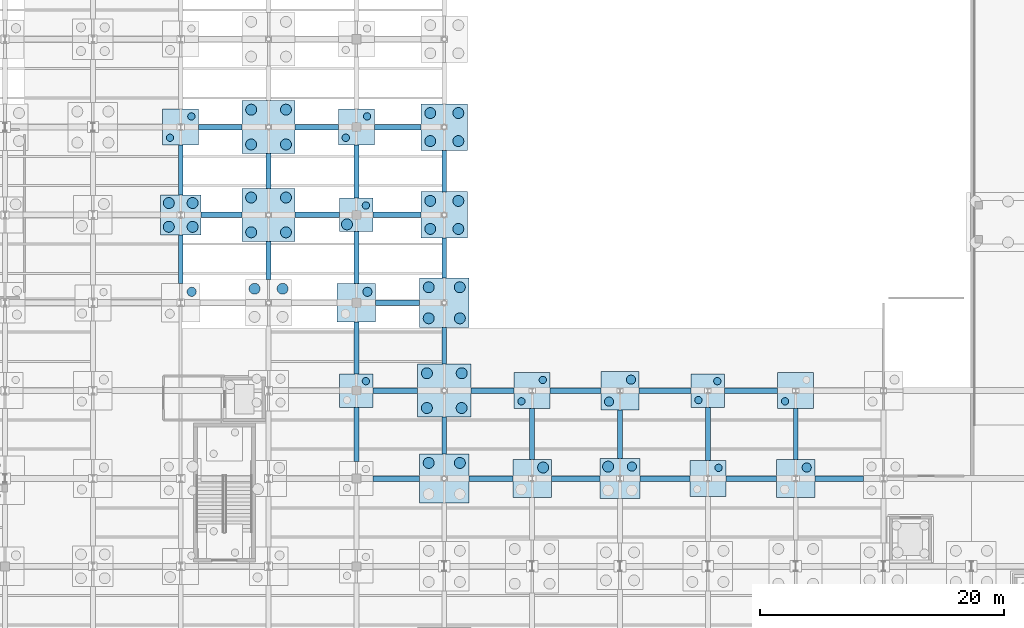
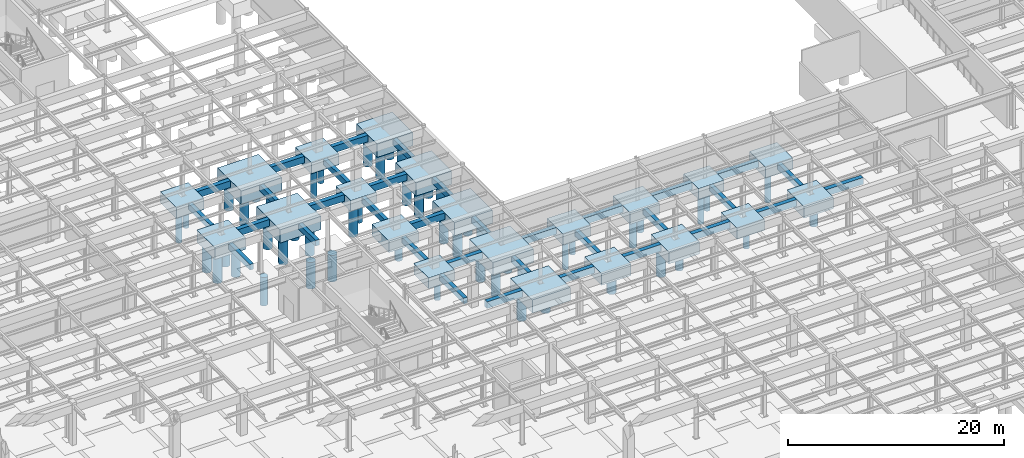
# One storey, part 12 of 64: 55 footings, 53 piles.
"""IFC4 building model written with IfcOpenShell, lengths in metres."""

import ifcopenshell
import ifcopenshell.guid

model = None  # the IFC model being written
_history = None  # IfcOwnerHistory: only IFC2X3 demands one
_inside = {}  # id of a spatial element -> (the spatial element, [elements in it])
_under = {}  # id of a project, library or spatial element -> (it, [spatial elements below it])
_declared = {}  # id of a project -> (the project, [libraries it declares])
_typed = {}  # id of a type object -> (the type object, [elements of that type])
_made_of = {}  # id of a material, layer set ... -> (it, [elements and type objects made of it])


def new_model(schema):
    """Start an empty IFC model of exactly this schema.

    Asked for "IFC4X3", IfcOpenShell would pick the latest addendum, in which some entities
    have other attributes; the version numbers below select the first issue.
    IFC2X3 requires an IfcOwnerHistory on every rooted entity: one is made here for all.
    """
    global model, _history
    if schema == "IFC4X3":
        model = ifcopenshell.file(schema_version=(4, 3, 0, 0))
    else:
        model = ifcopenshell.file(schema=schema)
    _inside.clear()
    _under.clear()
    _declared.clear()
    _typed.clear()
    _made_of.clear()
    _history = None
    if model.schema == "IFC2X3":
        org = make("IfcOrganization", Name="unknown")
        user = make(
            "IfcPersonAndOrganization",
            ThePerson=make("IfcPerson", FamilyName="unknown"),
            TheOrganization=org,
        )
        app = make(
            "IfcApplication",
            ApplicationDeveloper=org,
            Version="unknown",
            ApplicationFullName="unknown",
            ApplicationIdentifier="unknown",
        )
        _history = make(
            "IfcOwnerHistory",
            OwningUser=user,
            OwningApplication=app,
            ChangeAction="ADDED",
            CreationDate=0,
        )
    return model


def make(cls, **values):
    """One entity of the class cls with the attributes given. An attribute that is None is left unset."""
    return model.create_entity(
        cls, **{name: value for name, value in values.items() if value is not None}
    )


def rooted(cls, **values):
    """An entity with a GlobalId (a new one), such as an element, a storey or a relation."""
    return make(cls, GlobalId=ifcopenshell.guid.new(), OwnerHistory=_history, **values)


def si_unit(unit_type, name, prefix=None):
    """IfcSIUnit, for example si_unit("LENGTHUNIT", "METRE", prefix="MILLI")."""
    return make("IfcSIUnit", UnitType=unit_type, Prefix=prefix, Name=name)


def assignment(units):
    """IfcUnitAssignment: the units of a project."""
    return None if units is None else make("IfcUnitAssignment", Units=units)


def point(xyz):
    """IfcCartesianPoint."""
    return None if xyz is None else make("IfcCartesianPoint", Coordinates=xyz)


def direction(xyz):
    """IfcDirection."""
    return None if xyz is None else make("IfcDirection", DirectionRatios=xyz)


def frame(location, z_axis=None, x_axis=None):
    """IfcAxis2Placement3D, a coordinate frame: its origin and axes. An axis left out is left unset."""
    return make(
        "IfcAxis2Placement3D",
        Location=point(location),
        Axis=direction(z_axis),
        RefDirection=direction(x_axis),
    )


def frame_2d(location, x_axis=None):
    """IfcAxis2Placement2D, a coordinate frame in the plane: its origin and x axis."""
    return make(
        "IfcAxis2Placement2D", Location=point(location), RefDirection=direction(x_axis)
    )


def origin():
    """The frame at (0, 0, 0) with its axes left unset."""
    return frame((0.0, 0.0, 0.0))


def origin_2d():
    """The frame at (0, 0) in the plane with its x axis left unset."""
    return frame_2d((0.0, 0.0))


def place(relative_to, where):
    """IfcLocalPlacement: puts the frame where relative to a parent placement (None: the world)."""
    return make(
        "IfcLocalPlacement", PlacementRelTo=relative_to, RelativePlacement=where
    )


def context(
    kind, dimensions, precision=None, world=None, true_north=None, identifier=None
):
    """IfcGeometricRepresentationContext, for example the 3D "Model" context."""
    return make(
        "IfcGeometricRepresentationContext",
        ContextIdentifier=identifier,
        ContextType=kind,
        CoordinateSpaceDimension=dimensions,
        Precision=precision,
        WorldCoordinateSystem=world,
        TrueNorth=true_north,
    )


def subcontext(parent, identifier, kind, view, scale=None):
    """IfcGeometricRepresentationSubContext, for example "Body" below "Model"."""
    return make(
        "IfcGeometricRepresentationSubContext",
        ContextIdentifier=identifier,
        ContextType=kind,
        ParentContext=parent,
        TargetScale=scale,
        TargetView=view,
    )


def project(units=None, contexts=None):
    """IfcProject with its units and contexts."""
    return rooted(
        "IfcProject",
        Name="project",
        RepresentationContexts=contexts,
        UnitsInContext=assignment(units),
    )


def spatial(cls, under=None, at=None, **own):
    """A site, building, storey or space (cls), placed at a placement, below another one or the project."""
    s = rooted(cls, ObjectPlacement=at, **own)
    if under is not None:
        _under.setdefault(under.id(), (under, []))[1].append(s)
    return s


def profile(cls, at=None, kind="AREA", **sizes):
    """A parametric profile (cls). Its sizes go by their IFC names, for example OverallWidth=200.0."""
    return make(cls, ProfileType=kind, Position=at, **sizes)


def rectangle(**sizes):
    """IfcRectangleProfileDef."""
    return profile("IfcRectangleProfileDef", **sizes)


def circle(**sizes):
    """IfcCircleProfileDef."""
    return profile("IfcCircleProfileDef", **sizes)


def extrude(swept, where, along, depth):
    """IfcExtrudedAreaSolid: the profile swept, set in the frame where, extruded along a direction by depth."""
    return make(
        "IfcExtrudedAreaSolid",
        SweptArea=swept,
        Position=where,
        ExtrudedDirection=direction(along),
        Depth=depth,
    )


def shape(context_of_items, identifier, shape_type, items):
    """IfcShapeRepresentation: the items that make up one representation, for example the "Body"."""
    return make(
        "IfcShapeRepresentation",
        ContextOfItems=context_of_items,
        RepresentationIdentifier=identifier,
        RepresentationType=shape_type,
        Items=items,
    )


def material(Name=None, Category=None):
    """IfcMaterial."""
    return make("IfcMaterial", Name=Name, Category=Category)


def material_profile(
    of_material, cross_section, Name=None, Category=None, Priority=None
):
    """IfcMaterialProfile: a cross section and its material."""
    return make(
        "IfcMaterialProfile",
        Name=Name,
        Material=of_material,
        Profile=cross_section,
        Priority=Priority,
        Category=Category,
    )


def profile_set(profiles, Name=None, composite=None):
    """IfcMaterialProfileSet."""
    return make(
        "IfcMaterialProfileSet",
        Name=Name,
        MaterialProfiles=profiles,
        CompositeProfile=composite,
    )


def made_of(thing, what):
    """Note that an element or type object is made of a material, layer set ...; save() writes the relation."""
    if what is not None:
        _made_of.setdefault(what.id(), (what, []))[1].append(thing)
    return thing


def type_object(cls, material=None, **own):
    """A type object (cls), such as IfcWallType, which elements share."""
    return made_of(rooted(cls, **own), material)


def element(
    cls,
    number,
    at=None,
    inside=None,
    cuts=None,
    type_object=None,
    material=None,
    context=None,
    identifier="Body",
    shape_type=None,
    held_by="IfcProductDefinitionShape",
    body=None,
    shapes=None,
    **own,
):
    """One element of the class cls, such as IfcWall. Its Tag is "e" and its number.

    at: its placement. inside: the storey or other place that contains it. cuts: it is an
    opening in that element (IfcRelVoidsElement). A single representation is given by context,
    identifier, shape_type and body (its items); several are given by shapes. held_by: the class
    of the entity that holds the representations. save() writes the other relations.
    """
    e = rooted(cls, Tag="e%d" % number, ObjectPlacement=at, **own)
    if body is not None:
        shapes = [shape(context, identifier, shape_type, body)]
    if shapes is not None:
        e.Representation = make(held_by, Representations=shapes)
    if inside is not None:
        _inside.setdefault(inside.id(), (inside, []))[1].append(e)
    if cuts is not None:
        rooted(
            "IfcRelVoidsElement", RelatingBuildingElement=cuts, RelatedOpeningElement=e
        )
    if type_object is not None:
        _typed.setdefault(type_object.id(), (type_object, []))[1].append(e)
    return made_of(e, material)


def aggregate(whole, parts):
    """IfcRelAggregates: a whole, such as a stair, and the parts it consists of."""
    return rooted("IfcRelAggregates", RelatingObject=whole, RelatedObjects=parts)


def save(model, path):
    """Write the relations noted so far, then the file.

    IfcRelAggregates (storeys below a building ...), IfcRelContainedInSpatialStructure (elements
    in a storey), IfcRelDefinesByType, IfcRelAssociatesMaterial and IfcRelDeclares: one each for
    every whole, place, type object, material and project.
    """
    for whole, parts in _under.values():
        aggregate(whole, parts)
    for where, things in _inside.values():
        rooted(
            "IfcRelContainedInSpatialStructure",
            RelatedElements=things,
            RelatingStructure=where,
        )
    for kind, things in _typed.values():
        rooted("IfcRelDefinesByType", RelatedObjects=things, RelatingType=kind)
    for what, things in _made_of.values():
        rooted("IfcRelAssociatesMaterial", RelatedObjects=things, RelatingMaterial=what)
    for by, libraries in _declared.values():
        rooted("IfcRelDeclares", RelatingContext=by, RelatedDefinitions=libraries)
    model.write(path)


model = new_model("IFC4")

# Units and contexts
model_context = context("Model", 3, precision=1e-05, world=origin(), true_north=direction((0.0, 1.0)))
body_context = subcontext(model_context, "Body", "Model", "MODEL_VIEW")
ifc_project = project(units=[si_unit("LENGTHUNIT", "METRE"), si_unit("AREAUNIT", "SQUARE_METRE"), si_unit("VOLUMEUNIT", "CUBIC_METRE"), si_unit("PLANEANGLEUNIT", "RADIAN"), si_unit("MASSUNIT", "GRAM", prefix="KILO")], contexts=[model_context])

# Site, building, storey
site_placement = place(None, origin())
site = spatial("IfcSite", under=ifc_project, at=site_placement, CompositionType="ELEMENT")
building_placement = place(site_placement, origin())
building = spatial("IfcBuilding", under=site, at=building_placement, Name="Solvadek Multi-Sports Hall", CompositionType="ELEMENT")
storey_placement = place(building_placement, frame((0.0, 0.0, -4.800048828125)))
storey = spatial("IfcBuildingStorey", under=building, at=storey_placement, Name="B1", CompositionType="ELEMENT", Elevation=-4.800048828125)

# Footings
ifc_material_1 = material(Name="Concrete M40", Category="concrete")
footing_type_1 = type_object("IfcFootingType", Name="STR-CAP-275X275X120", PredefinedType="PILE_CAP", material=ifc_material_1)
for number, where, z_axis, x_axis, name in (
    (1, (79.199951171875, 56.39990234375, -1.19970703125), (0.0, 0.0, 1.0), (1.0, 0.0, 0.0), "Pile Cap PC-02 #187"),
    (2, (108.0, 56.39990234375, -1.19970703125), (0.0, 0.0, 1.0), (1.0, 0.0, 0.0), "Pile Cap PC-02 #190"),
    (3, (79.199951171875, 70.800048828125, -1.19970703125), (0.0, 0.0, 1.0), (1.0, 0.0, 0.0), "Pile Cap PC-02 #229"),
):
    element("IfcFooting", number, at=place(storey_placement, frame(where, z_axis=z_axis, x_axis=x_axis)), inside=storey, type_object=footing_type_1, Name=name, PredefinedType="PILE_CAP", context=body_context, shape_type="SweptSolid", body=[
        extrude(rectangle(XDim=2.75, YDim=2.75, at=origin_2d()), origin(), (0.0, 0.0, 1.0), 1.199951171875),
    ])
footing_type_2 = type_object("IfcFootingType", Name="STR-CAP-295X295X125", PredefinedType="PILE_CAP", material=ifc_material_1)
for number, where, z_axis, x_axis, name in (
    (4, (108.0, 49.199951171875, -1.25), (0.0, 0.0, 1.0), (1.0, 0.0, 0.0), "Pile Cap PC-14 #166"),
    (5, (93.60009765625, 56.39990234375, -1.25), (0.0, 0.0, 1.0), (1.0, 0.0, 0.0), "Pile Cap PC-14 #188"),
    (6, (115.199951171875, 56.39990234375, -1.25), (0.0, 0.0, 1.0), (1.0, 0.0, 0.0), "Pile Cap PC-14 #191"),
    (7, (64.800048828125, 78.0, -1.25), (0.0, 0.0, 1.0), (1.0, 0.0, 0.0), "Pile Cap PC-14 #241"),
    (8, (79.199951171875, 78.0, -1.25), (0.0, 0.0, 1.0), (1.0, 0.0, 0.0), "Pile Cap PC-14 #242"),
):
    element("IfcFooting", number, at=place(storey_placement, frame(where, z_axis=z_axis, x_axis=x_axis)), inside=storey, type_object=footing_type_2, Name=name, PredefinedType="PILE_CAP", context=body_context, shape_type="SweptSolid", body=[
        extrude(rectangle(XDim=2.949951171875, YDim=2.949951171875, at=origin_2d()), origin(), (0.0, 0.0, 1.0), 1.25),
    ])
footing_type_3 = type_object("IfcFootingType", Name="STR-CAP-315X315X130", PredefinedType="PILE_CAP", material=ifc_material_1)
for number, where, z_axis, x_axis, name in (
    (9, (93.60009765625, 49.199951171875, -1.2998046875), (0.0, 0.0, 1.0), (1.0, 0.0, 0.0), "Pile Cap PC-15 #164"),
    (10, (115.199951171875, 49.199951171875, -1.2998046875), (0.0, 0.0, 1.0), (1.0, 0.0, 0.0), "Pile Cap PC-15 #167"),
    (11, (100.800048828125, 56.39990234375, -1.2998046875), (0.0, 0.0, 1.0), (1.0, 0.0, 0.0), "Pile Cap PC-15 #189"),
    (12, (79.199951171875, 63.60009765625, -1.2998046875), (0.0, 0.0, 1.0), (1.0, 0.0, 0.0), "Pile Cap PC-15 #213"),
):
    element("IfcFooting", number, at=place(storey_placement, frame(where, z_axis=z_axis, x_axis=x_axis)), inside=storey, type_object=footing_type_3, Name=name, PredefinedType="PILE_CAP", context=body_context, shape_type="SweptSolid", body=[
        extrude(rectangle(XDim=3.14990234375, YDim=3.14990234375, at=origin_2d()), origin(), (0.0, 0.0, 1.0), 1.300048828125),
    ])
footing_type_4 = type_object("IfcFootingType", Name="STR-CAP-330X330X135", PredefinedType="PILE_CAP", material=ifc_material_1)
for number, where, z_axis, x_axis, name in (
    (13, (100.800048828125, 49.199951171875, -1.35009765625), (0.0, 0.0, 1.0), (1.0, 0.0, 0.0), "Pile Cap PC-04 #165"),
    (14, (64.800048828125, 70.800048828125, -1.35009765625), (0.0, 0.0, 1.0), (1.0, 0.0, 0.0), "Pile Cap PC-04 #228"),
):
    element("IfcFooting", number, at=place(storey_placement, frame(where, z_axis=z_axis, x_axis=x_axis)), inside=storey, type_object=footing_type_4, Name=name, PredefinedType="PILE_CAP", context=body_context, shape_type="SweptSolid", body=[
        extrude(rectangle(XDim=3.300048828125, YDim=3.300048828125, at=origin_2d()), origin(), (0.0, 0.0, 1.0), 1.35009765625),
    ])
footing_type_5 = type_object("IfcFootingType", Name="STR-CAP-380X380X150", PredefinedType="PILE_CAP", material=ifc_material_1)
for number, where, z_axis, x_axis, name in (
    (15, (86.39990234375, 70.800048828125, -1.5), (0.0, 0.0, 1.0), (1.0, 0.0, 0.0), "Pile Cap PC-06 #217"),
    (16, (86.39990234375, 78.0, -1.5), (0.0, 0.0, 1.0), (1.0, 0.0, 0.0), "Pile Cap PC-06 #235"),
):
    element("IfcFooting", number, at=place(storey_placement, frame(where, z_axis=z_axis, x_axis=x_axis)), inside=storey, type_object=footing_type_5, Name=name, PredefinedType="PILE_CAP", context=body_context, shape_type="SweptSolid", body=[
        extrude(rectangle(XDim=3.800048828125, YDim=3.800048828125, at=origin_2d()), origin(), (0.0, 0.0, 1.0), 1.5),
    ])
footing_type_6 = type_object("IfcFootingType", Name="STR-CAP-405X405X150", PredefinedType="PILE_CAP", material=ifc_material_1)
for number, where, z_axis, x_axis, name in (
    (17, (86.39990234375, 49.199951171875, -1.5), (0.0, 0.0, 1.0), (1.0, 0.0, 0.0), "Pile Cap PC-17 #155"),
    (18, (86.39990234375, 63.60009765625, -1.5), (0.0, 0.0, 1.0), (1.0, 0.0, 0.0), "Pile Cap PC-17 #197"),
):
    element("IfcFooting", number, at=place(storey_placement, frame(where, z_axis=z_axis, x_axis=x_axis)), inside=storey, type_object=footing_type_6, Name=name, PredefinedType="PILE_CAP", context=body_context, shape_type="SweptSolid", body=[
        extrude(rectangle(XDim=4.050048828125, YDim=4.050048828125, at=origin_2d()), origin(), (0.0, 0.0, 1.0), 1.5),
    ])
footing_type_7 = type_object("IfcFootingType", Name="STR-CAP-435X435X150", PredefinedType="PILE_CAP", material=ifc_material_1)
for number, where, z_axis, x_axis, name in (
    (19, (86.39990234375, 56.39990234375, -1.5), (0.0, 0.0, 1.0), (1.0, 0.0, 0.0), "Pile Cap PC-18 #174"),
    (20, (72.0, 70.800048828125, -1.5), (0.0, 0.0, 1.0), (1.0, 0.0, 0.0), "Pile Cap PC-18 #216"),
    (21, (72.0, 78.0, -1.5), (0.0, 0.0, 1.0), (1.0, 0.0, 0.0), "Pile Cap PC-18 #234"),
):
    element("IfcFooting", number, at=place(storey_placement, frame(where, z_axis=z_axis, x_axis=x_axis)), inside=storey, type_object=footing_type_7, Name=name, PredefinedType="PILE_CAP", context=body_context, shape_type="SweptSolid", body=[
        extrude(rectangle(XDim=4.35009765625, YDim=4.35009765625, at=origin_2d()), origin(), (0.0, 0.0, 1.0), 1.5),
    ])
footing_type_8 = type_object("IfcFootingType", Name="STR-FTB-400X650", PredefinedType="FOOTING_BEAM", material=ifc_material_1)
footing_1_placement = place(storey_placement, frame((64.800048828125, 67.16259765625, -0.64990234375), z_axis=(0.0, 0.0, 1.0), x_axis=(0.0, 1.0, 0.0)))
element("IfcFooting", 22, at=footing_1_placement, inside=storey, type_object=footing_type_8, Name="Foundation Beam FB-01 #321", PredefinedType="FOOTING_BEAM", context=body_context, shape_type="SweptSolid", body=[
    extrude(rectangle(XDim=3.97509765625, YDim=0.39990234375, at=origin_2d()), origin(), (0.0, 0.0, 1.0), 0.64990234375),
])
footing_2_placement = place(storey_placement, frame((64.800048828125, 74.487548828125, -0.64990234375), z_axis=(0.0, 0.0, 1.0), x_axis=(0.0, 1.0, 0.0)))
element("IfcFooting", 23, at=footing_2_placement, inside=storey, type_object=footing_type_8, Name="Foundation Beam FB-01 #322", PredefinedType="FOOTING_BEAM", context=body_context, shape_type="SweptSolid", body=[
    extrude(rectangle(XDim=4.074951171875, YDim=0.39990234375, at=origin_2d()), origin(), (0.0, 0.0, 1.0), 0.64990234375),
])
footing_3_placement = place(storey_placement, frame((72.0, 67.0625, -0.64990234375), z_axis=(0.0, 0.0, 1.0), x_axis=(0.0, 1.0, 0.0)))
element("IfcFooting", 24, at=footing_3_placement, inside=storey, type_object=footing_type_8, Name="Foundation Beam FB-01 #335", PredefinedType="FOOTING_BEAM", context=body_context, shape_type="SweptSolid", body=[
    extrude(rectangle(XDim=3.125, YDim=0.39990234375, at=origin_2d()), origin(), (0.0, 0.0, 1.0), 0.64990234375),
])
footing_4_placement = place(storey_placement, frame((72.0, 74.39990234375, -0.64990234375), z_axis=(0.0, 0.0, 1.0), x_axis=(0.0, 1.0, 0.0)))
element("IfcFooting", 25, at=footing_4_placement, inside=storey, type_object=footing_type_8, Name="Foundation Beam FB-01 #336", PredefinedType="FOOTING_BEAM", context=body_context, shape_type="SweptSolid", body=[
    extrude(rectangle(XDim=2.85009765625, YDim=0.39990234375, at=origin_2d()), origin(), (0.0, 0.0, 1.0), 0.64990234375),
])
footing_5_placement = place(storey_placement, frame((79.199951171875, 52.800048828125, -0.64990234375), z_axis=(0.0, 0.0, 1.0), x_axis=(0.0, 1.0, 0.0)))
element("IfcFooting", 26, at=footing_5_placement, inside=storey, type_object=footing_type_8, Name="Foundation Beam FB-01 #349", PredefinedType="FOOTING_BEAM", context=body_context, shape_type="SweptSolid", body=[
    extrude(rectangle(XDim=4.449951171875, YDim=0.39990234375, at=origin_2d()), origin(), (0.0, 0.0, 1.0), 0.64990234375),
])
for number, where, z_axis, x_axis, name in (
    (27, (79.199951171875, 59.89990234375, -0.64990234375), (0.0, 0.0, 1.0), (0.0, 1.0, 0.0), "Foundation Beam FB-01 #350"),
    (28, (79.199951171875, 67.300048828125, -0.64990234375), (0.0, 0.0, 1.0), (0.0, 1.0, 0.0), "Foundation Beam FB-01 #351"),
):
    element("IfcFooting", number, at=place(storey_placement, frame(where, z_axis=z_axis, x_axis=x_axis)), inside=storey, type_object=footing_type_8, Name=name, PredefinedType="FOOTING_BEAM", context=body_context, shape_type="SweptSolid", body=[
        extrude(rectangle(XDim=4.25, YDim=0.39990234375, at=origin_2d()), origin(), (0.0, 0.0, 1.0), 0.64990234375),
    ])
footing_6_placement = place(storey_placement, frame((79.199951171875, 74.35009765625, -0.64990234375), z_axis=(0.0, 0.0, 1.0), x_axis=(0.0, 1.0, 0.0)))
element("IfcFooting", 29, at=footing_6_placement, inside=storey, type_object=footing_type_8, Name="Foundation Beam FB-01 #352", PredefinedType="FOOTING_BEAM", context=body_context, shape_type="SweptSolid", body=[
    extrude(rectangle(XDim=4.35009765625, YDim=0.39990234375, at=origin_2d()), origin(), (0.0, 0.0, 1.0), 0.64990234375),
])
for number, where, z_axis, x_axis, name in (
    (30, (86.39990234375, 52.72509765625, -0.64990234375), (0.0, 0.0, 1.0), (0.0, 1.0, 0.0), "Foundation Beam FB-01 #362"),
    (31, (86.39990234375, 60.074951171875, -0.64990234375), (0.0, 0.0, 1.0), (0.0, 1.0, 0.0), "Foundation Beam FB-01 #363"),
):
    element("IfcFooting", number, at=place(storey_placement, frame(where, z_axis=z_axis, x_axis=x_axis)), inside=storey, type_object=footing_type_8, Name=name, PredefinedType="FOOTING_BEAM", context=body_context, shape_type="SweptSolid", body=[
        extrude(rectangle(XDim=3.0, YDim=0.39990234375, at=origin_2d()), origin(), (0.0, 0.0, 1.0), 0.64990234375),
    ])
footing_7_placement = place(storey_placement, frame((86.39990234375, 67.262451171875, -0.64990234375), z_axis=(0.0, 0.0, 1.0), x_axis=(0.0, 1.0, 0.0)))
element("IfcFooting", 32, at=footing_7_placement, inside=storey, type_object=footing_type_8, Name="Foundation Beam FB-01 #364", PredefinedType="FOOTING_BEAM", context=body_context, shape_type="SweptSolid", body=[
    extrude(rectangle(XDim=3.27490234375, YDim=0.39990234375, at=origin_2d()), origin(), (0.0, 0.0, 1.0), 0.64990234375),
])
footing_8_placement = place(storey_placement, frame((86.39990234375, 74.39990234375, -0.64990234375), z_axis=(0.0, 0.0, 1.0), x_axis=(0.0, 1.0, 0.0)))
element("IfcFooting", 33, at=footing_8_placement, inside=storey, type_object=footing_type_8, Name="Foundation Beam FB-01 #365", PredefinedType="FOOTING_BEAM", context=body_context, shape_type="SweptSolid", body=[
    extrude(rectangle(XDim=3.39990234375, YDim=0.39990234375, at=origin_2d()), origin(), (0.0, 0.0, 1.0), 0.64990234375),
])
footing_9_placement = place(storey_placement, frame((93.60009765625, 52.85009765625, -0.64990234375), z_axis=(0.0, 0.0, 1.0), x_axis=(0.0, 1.0, 0.0)))
element("IfcFooting", 34, at=footing_9_placement, inside=storey, type_object=footing_type_8, Name="Foundation Beam FB-01 #377", PredefinedType="FOOTING_BEAM", context=body_context, shape_type="SweptSolid", body=[
    extrude(rectangle(XDim=4.14990234375, YDim=0.39990234375, at=origin_2d()), origin(), (0.0, 0.0, 1.0), 0.64990234375),
])
footing_10_placement = place(storey_placement, frame((100.800048828125, 52.83740234375, -0.64990234375), z_axis=(0.0, 0.0, 1.0), x_axis=(0.0, 1.0, 0.0)))
element("IfcFooting", 35, at=footing_10_placement, inside=storey, type_object=footing_type_8, Name="Foundation Beam FB-01 #385", PredefinedType="FOOTING_BEAM", context=body_context, shape_type="SweptSolid", body=[
    extrude(rectangle(XDim=3.97509765625, YDim=0.39990234375, at=origin_2d()), origin(), (0.0, 0.0, 1.0), 0.64990234375),
])
footing_11_placement = place(storey_placement, frame((108.0, 52.85009765625, -0.64990234375), z_axis=(0.0, 0.0, 1.0), x_axis=(0.0, 1.0, 0.0)))
element("IfcFooting", 36, at=footing_11_placement, inside=storey, type_object=footing_type_8, Name="Foundation Beam FB-01 #394", PredefinedType="FOOTING_BEAM", context=body_context, shape_type="SweptSolid", body=[
    extrude(rectangle(XDim=4.35009765625, YDim=0.39990234375, at=origin_2d()), origin(), (0.0, 0.0, 1.0), 0.64990234375),
])
footing_12_placement = place(storey_placement, frame((115.199951171875, 52.85009765625, -0.64990234375), z_axis=(0.0, 0.0, 1.0), x_axis=(0.0, 1.0, 0.0)))
element("IfcFooting", 37, at=footing_12_placement, inside=storey, type_object=footing_type_8, Name="Foundation Beam FB-01 #401", PredefinedType="FOOTING_BEAM", context=body_context, shape_type="SweptSolid", body=[
    extrude(rectangle(XDim=4.14990234375, YDim=0.39990234375, at=origin_2d()), origin(), (0.0, 0.0, 1.0), 0.64990234375),
])
footing_type_9 = type_object("IfcFootingType", Name="STR-FTB-450X750", PredefinedType="FOOTING_BEAM", material=ifc_material_1)
footing_13_placement = place(storey_placement, frame((82.47509765625, 49.199951171875, -0.75), z_axis=(0.0, 0.0, 1.0), x_axis=(1.0, 0.0, 0.0)))
element("IfcFooting", 38, at=footing_13_placement, inside=storey, type_object=footing_type_9, Name="Foundation Beam FB-02 #108", PredefinedType="FOOTING_BEAM", context=body_context, shape_type="SweptSolid", body=[
    extrude(rectangle(XDim=3.800048828125, YDim=0.449951171875, at=origin_2d()), origin(), (0.0, 0.0, 1.0), 0.75),
])
footing_14_placement = place(storey_placement, frame((90.22509765625, 49.199951171875, -0.75), z_axis=(0.0, 0.0, 1.0), x_axis=(1.0, 0.0, 0.0)))
element("IfcFooting", 39, at=footing_14_placement, inside=storey, type_object=footing_type_9, Name="Foundation Beam FB-02 #109", PredefinedType="FOOTING_BEAM", context=body_context, shape_type="SweptSolid", body=[
    extrude(rectangle(XDim=3.60009765625, YDim=0.449951171875, at=origin_2d()), origin(), (0.0, 0.0, 1.0), 0.75),
])
footing_15_placement = place(storey_placement, frame((97.16259765625, 49.199951171875, -0.75), z_axis=(0.0, 0.0, 1.0), x_axis=(1.0, 0.0, 0.0)))
element("IfcFooting", 40, at=footing_15_placement, inside=storey, type_object=footing_type_9, Name="Foundation Beam FB-02 #110", PredefinedType="FOOTING_BEAM", context=body_context, shape_type="SweptSolid", body=[
    extrude(rectangle(XDim=3.97509765625, YDim=0.449951171875, at=origin_2d()), origin(), (0.0, 0.0, 1.0), 0.75),
])
footing_16_placement = place(storey_placement, frame((104.487548828125, 49.199951171875, -0.75), z_axis=(0.0, 0.0, 1.0), x_axis=(1.0, 0.0, 0.0)))
element("IfcFooting", 41, at=footing_16_placement, inside=storey, type_object=footing_type_9, Name="Foundation Beam FB-02 #111", PredefinedType="FOOTING_BEAM", context=body_context, shape_type="SweptSolid", body=[
    extrude(rectangle(XDim=4.074951171875, YDim=0.449951171875, at=origin_2d()), origin(), (0.0, 0.0, 1.0), 0.75),
])
footing_17_placement = place(storey_placement, frame((111.550048828125, 49.199951171875, -0.75), z_axis=(0.0, 0.0, 1.0), x_axis=(1.0, 0.0, 0.0)))
element("IfcFooting", 42, at=footing_17_placement, inside=storey, type_object=footing_type_9, Name="Foundation Beam FB-02 #112", PredefinedType="FOOTING_BEAM", context=body_context, shape_type="SweptSolid", body=[
    extrude(rectangle(XDim=4.14990234375, YDim=0.449951171875, at=origin_2d()), origin(), (0.0, 0.0, 1.0), 0.75),
])
footing_18_placement = place(storey_placement, frame((118.762451171875, 49.199951171875, -0.75), z_axis=(0.0, 0.0, 1.0), x_axis=(1.0, 0.0, 0.0)))
element("IfcFooting", 43, at=footing_18_placement, inside=storey, type_object=footing_type_9, Name="Foundation Beam FB-02 #113", PredefinedType="FOOTING_BEAM", context=body_context, shape_type="SweptSolid", body=[
    extrude(rectangle(XDim=3.97509765625, YDim=0.449951171875, at=origin_2d()), origin(), (0.0, 0.0, 1.0), 0.75),
])
footing_19_placement = place(storey_placement, frame((82.39990234375, 56.39990234375, -0.75), z_axis=(0.0, 0.0, 1.0), x_axis=(1.0, 0.0, 0.0)))
element("IfcFooting", 44, at=footing_19_placement, inside=storey, type_object=footing_type_9, Name="Foundation Beam FB-02 #129", PredefinedType="FOOTING_BEAM", context=body_context, shape_type="SweptSolid", body=[
    extrude(rectangle(XDim=3.64990234375, YDim=0.449951171875, at=origin_2d()), origin(), (0.0, 0.0, 1.0), 0.75),
])
footing_20_placement = place(storey_placement, frame((90.35009765625, 56.39990234375, -0.75), z_axis=(0.0, 0.0, 1.0), x_axis=(1.0, 0.0, 0.0)))
element("IfcFooting", 45, at=footing_20_placement, inside=storey, type_object=footing_type_9, Name="Foundation Beam FB-02 #130", PredefinedType="FOOTING_BEAM", context=body_context, shape_type="SweptSolid", body=[
    extrude(rectangle(XDim=3.550048828125, YDim=0.449951171875, at=origin_2d()), origin(), (0.0, 0.0, 1.0), 0.75),
])
footing_21_placement = place(storey_placement, frame((97.14990234375, 56.39990234375, -0.75), z_axis=(0.0, 0.0, 1.0), x_axis=(1.0, 0.0, 0.0)))
element("IfcFooting", 46, at=footing_21_placement, inside=storey, type_object=footing_type_9, Name="Foundation Beam FB-02 #131", PredefinedType="FOOTING_BEAM", context=body_context, shape_type="SweptSolid", body=[
    extrude(rectangle(XDim=4.14990234375, YDim=0.449951171875, at=origin_2d()), origin(), (0.0, 0.0, 1.0), 0.75),
])
footing_22_placement = place(storey_placement, frame((104.5, 56.39990234375, -0.75), z_axis=(0.0, 0.0, 1.0), x_axis=(1.0, 0.0, 0.0)))
element("IfcFooting", 47, at=footing_22_placement, inside=storey, type_object=footing_type_9, Name="Foundation Beam FB-02 #132", PredefinedType="FOOTING_BEAM", context=body_context, shape_type="SweptSolid", body=[
    extrude(rectangle(XDim=4.25, YDim=0.449951171875, at=origin_2d()), origin(), (0.0, 0.0, 1.0), 0.75),
])
footing_23_placement = place(storey_placement, frame((111.550048828125, 56.39990234375, -0.75), z_axis=(0.0, 0.0, 1.0), x_axis=(1.0, 0.0, 0.0)))
element("IfcFooting", 48, at=footing_23_placement, inside=storey, type_object=footing_type_9, Name="Foundation Beam FB-02 #133", PredefinedType="FOOTING_BEAM", context=body_context, shape_type="SweptSolid", body=[
    extrude(rectangle(XDim=4.35009765625, YDim=0.449951171875, at=origin_2d()), origin(), (0.0, 0.0, 1.0), 0.75),
])
footing_24_placement = place(storey_placement, frame((82.574951171875, 63.60009765625, -0.75), z_axis=(0.0, 0.0, 1.0), x_axis=(1.0, 0.0, 0.0)))
element("IfcFooting", 49, at=footing_24_placement, inside=storey, type_object=footing_type_9, Name="Foundation Beam FB-02 #151", PredefinedType="FOOTING_BEAM", context=body_context, shape_type="SweptSolid", body=[
    extrude(rectangle(XDim=3.60009765625, YDim=0.449951171875, at=origin_2d()), origin(), (0.0, 0.0, 1.0), 0.75),
])
footing_25_placement = place(storey_placement, frame((68.137451171875, 70.800048828125, -0.75), z_axis=(0.0, 0.0, 1.0), x_axis=(1.0, 0.0, 0.0)))
element("IfcFooting", 50, at=footing_25_placement, inside=storey, type_object=footing_type_9, Name="Foundation Beam FB-02 #161", PredefinedType="FOOTING_BEAM", context=body_context, shape_type="SweptSolid", body=[
    extrude(rectangle(XDim=3.375, YDim=0.449951171875, at=origin_2d()), origin(), (0.0, 0.0, 1.0), 0.75),
])
footing_26_placement = place(storey_placement, frame((76.0, 70.800048828125, -0.75), z_axis=(0.0, 0.0, 1.0), x_axis=(1.0, 0.0, 0.0)))
element("IfcFooting", 51, at=footing_26_placement, inside=storey, type_object=footing_type_9, Name="Foundation Beam FB-02 #162", PredefinedType="FOOTING_BEAM", context=body_context, shape_type="SweptSolid", body=[
    extrude(rectangle(XDim=3.64990234375, YDim=0.449951171875, at=origin_2d()), origin(), (0.0, 0.0, 1.0), 0.75),
])
footing_27_placement = place(storey_placement, frame((82.53759765625, 70.800048828125, -0.75), z_axis=(0.0, 0.0, 1.0), x_axis=(1.0, 0.0, 0.0)))
element("IfcFooting", 52, at=footing_27_placement, inside=storey, type_object=footing_type_9, Name="Foundation Beam FB-02 #163", PredefinedType="FOOTING_BEAM", context=body_context, shape_type="SweptSolid", body=[
    extrude(rectangle(XDim=3.925048828125, YDim=0.449951171875, at=origin_2d()), origin(), (0.0, 0.0, 1.0), 0.75),
])
for number, where, z_axis, x_axis, name in (
    (53, (68.050048828125, 78.0, -0.75), (0.0, 0.0, 1.0), (1.0, 0.0, 0.0), "Foundation Beam FB-02 #172"),
    (54, (75.949951171875, 78.0, -0.75), (0.0, 0.0, 1.0), (1.0, 0.0, 0.0), "Foundation Beam FB-02 #173"),
):
    element("IfcFooting", number, at=place(storey_placement, frame(where, z_axis=z_axis, x_axis=x_axis)), inside=storey, type_object=footing_type_9, Name=name, PredefinedType="FOOTING_BEAM", context=body_context, shape_type="SweptSolid", body=[
        extrude(rectangle(XDim=3.550048828125, YDim=0.449951171875, at=origin_2d()), origin(), (0.0, 0.0, 1.0), 0.75),
    ])
footing_28_placement = place(storey_placement, frame((82.58740234375, 78.0, -0.75), z_axis=(0.0, 0.0, 1.0), x_axis=(1.0, 0.0, 0.0)))
element("IfcFooting", 55, at=footing_28_placement, inside=storey, type_object=footing_type_9, Name="Foundation Beam FB-02 #174", PredefinedType="FOOTING_BEAM", context=body_context, shape_type="SweptSolid", body=[
    extrude(rectangle(XDim=3.824951171875, YDim=0.449951171875, at=origin_2d()), origin(), (0.0, 0.0, 1.0), 0.75),
])

# Piles
ifc_material_2 = material(Name="Concrete M35", Category="concrete")
ifc_material_profile_1 = material_profile(ifc_material_2, circle(Radius=0.300048828125, at=origin_2d()), Name="BORED PILE D600")
ifc_profile_set_1 = profile_set([ifc_material_profile_1], Name="Concrete M35")
pile_type_1 = type_object("IfcPileType", Name="STR-PILE-D600", PredefinedType="BORED", material=ifc_profile_set_1)
pile_1_placement = place(storey_placement, frame((108.875, 50.074951171875, -1.14990234375), z_axis=(0.0, 0.0, -1.0), x_axis=(1.0, 0.0, 0.0)))
element("IfcPile", 56, at=pile_1_placement, inside=storey, type_object=pile_type_1, Name="Bored Pile PL-600 #533", PredefinedType="BORED", context=body_context, shape_type="SweptSolid", body=[
    extrude(circle(Radius=0.300048828125, at=origin_2d()), origin(), (0.0, 0.0, 1.0), 3.25),
])
pile_2_placement = place(storey_placement, frame((79.97509765625, 57.175048828125, -1.099853515625), z_axis=(0.0, 0.0, -1.0), x_axis=(1.0, 0.0, 0.0)))
element("IfcPile", 57, at=pile_2_placement, inside=storey, type_object=pile_type_1, Name="Bored Pile PL-600 #591", PredefinedType="BORED", context=body_context, shape_type="SweptSolid", body=[
    extrude(circle(Radius=0.300048828125, at=origin_2d()), origin(), (0.0, 0.0, 1.0), 3.300048828125),
])
for number, where, z_axis, x_axis, name in (
    (58, (92.72509765625, 55.52490234375, -1.14990234375), (0.0, 0.0, -1.0), (1.0, 0.0, 0.0), "Bored Pile PL-600 #592"),
    (59, (94.47509765625, 57.27490234375, -1.14990234375), (0.0, 0.0, -1.0), (1.0, 0.0, 0.0), "Bored Pile PL-600 #593"),
):
    element("IfcPile", number, at=place(storey_placement, frame(where, z_axis=z_axis, x_axis=x_axis)), inside=storey, type_object=pile_type_1, Name=name, PredefinedType="BORED", context=body_context, shape_type="SweptSolid", body=[
        extrude(circle(Radius=0.300048828125, at=origin_2d()), origin(), (0.0, 0.0, 1.0), 3.25),
    ])
for number, where, z_axis, x_axis, name in (
    (60, (107.22509765625, 55.625, -1.099853515625), (0.0, 0.0, -1.0), (1.0, 0.0, 0.0), "Bored Pile PL-600 #596"),
    (61, (108.77490234375, 57.175048828125, -1.099853515625), (0.0, 0.0, -1.0), (1.0, 0.0, 0.0), "Bored Pile PL-600 #597"),
):
    element("IfcPile", number, at=place(storey_placement, frame(where, z_axis=z_axis, x_axis=x_axis)), inside=storey, type_object=pile_type_1, Name=name, PredefinedType="BORED", context=body_context, shape_type="SweptSolid", body=[
        extrude(circle(Radius=0.300048828125, at=origin_2d()), origin(), (0.0, 0.0, 1.0), 3.300048828125),
    ])
pile_3_placement = place(storey_placement, frame((114.324951171875, 55.52490234375, -1.14990234375), z_axis=(0.0, 0.0, -1.0), x_axis=(1.0, 0.0, 0.0)))
element("IfcPile", 62, at=pile_3_placement, inside=storey, type_object=pile_type_1, Name="Bored Pile PL-600 #598", PredefinedType="BORED", context=body_context, shape_type="SweptSolid", body=[
    extrude(circle(Radius=0.300048828125, at=origin_2d()), origin(), (0.0, 0.0, 1.0), 3.25),
])
pile_4_placement = place(storey_placement, frame((79.97509765625, 71.574951171875, -1.099853515625), z_axis=(0.0, 0.0, -1.0), x_axis=(1.0, 0.0, 0.0)))
element("IfcPile", 63, at=pile_4_placement, inside=storey, type_object=pile_type_1, Name="Bored Pile PL-600 #727", PredefinedType="BORED", context=body_context, shape_type="SweptSolid", body=[
    extrude(circle(Radius=0.300048828125, at=origin_2d()), origin(), (0.0, 0.0, 1.0), 3.300048828125),
])
for number, where, z_axis, x_axis, name in (
    (64, (63.925048828125, 77.125, -1.14990234375), (0.0, 0.0, -1.0), (1.0, 0.0, 0.0), "Bored Pile PL-600 #774"),
    (65, (65.675048828125, 78.875, -1.14990234375), (0.0, 0.0, -1.0), (1.0, 0.0, 0.0), "Bored Pile PL-600 #775"),
    (66, (78.324951171875, 77.125, -1.14990234375), (0.0, 0.0, -1.0), (1.0, 0.0, 0.0), "Bored Pile PL-600 #776"),
    (67, (80.074951171875, 78.875, -1.14990234375), (0.0, 0.0, -1.0), (1.0, 0.0, 0.0), "Bored Pile PL-600 #777"),
):
    element("IfcPile", number, at=place(storey_placement, frame(where, z_axis=z_axis, x_axis=x_axis)), inside=storey, type_object=pile_type_1, Name=name, PredefinedType="BORED", context=body_context, shape_type="SweptSolid", body=[
        extrude(circle(Radius=0.300048828125, at=origin_2d()), origin(), (0.0, 0.0, 1.0), 3.25),
    ])
ifc_material_profile_2 = material_profile(ifc_material_2, circle(Radius=0.375, at=origin_2d()), Name="BORED PILE D750")
ifc_profile_set_2 = profile_set([ifc_material_profile_2], Name="Concrete M35")
pile_type_2 = type_object("IfcPileType", Name="STR-PILE-D750", PredefinedType="BORED", material=ifc_profile_set_2)
pile_5_placement = place(storey_placement, frame((101.77490234375, 50.175048828125, -1.25), z_axis=(0.0, 0.0, -1.0), x_axis=(1.0, 0.0, 0.0)))
element("IfcPile", 68, at=pile_5_placement, inside=storey, type_object=pile_type_2, Name="Bored Pile PL-750 #531", PredefinedType="BORED", context=body_context, shape_type="SweptSolid", body=[
    extrude(circle(Radius=0.375, at=origin_2d()), origin(), (0.0, 0.0, 1.0), 3.14990234375),
])
for number, where, z_axis, x_axis, name in (
    (69, (116.10009765625, 50.10009765625, -1.199951171875), (0.0, 0.0, -1.0), (1.0, 0.0, 0.0), "Bored Pile PL-750 #535"),
    (70, (99.89990234375, 55.5, -1.199951171875), (0.0, 0.0, -1.0), (1.0, 0.0, 0.0), "Bored Pile PL-750 #594"),
    (71, (101.699951171875, 57.300048828125, -1.199951171875), (0.0, 0.0, -1.0), (1.0, 0.0, 0.0), "Bored Pile PL-750 #595"),
    (72, (65.699951171875, 64.5, -1.199951171875), (0.0, 0.0, -1.0), (1.0, 0.0, 0.0), "Bored Pile PL-750 #649"),
    (73, (80.10009765625, 64.5, -1.199951171875), (0.0, 0.0, -1.0), (1.0, 0.0, 0.0), "Bored Pile PL-750 #665"),
):
    element("IfcPile", number, at=place(storey_placement, frame(where, z_axis=z_axis, x_axis=x_axis)), inside=storey, type_object=pile_type_2, Name=name, PredefinedType="BORED", context=body_context, shape_type="SweptSolid", body=[
        extrude(circle(Radius=0.375, at=origin_2d()), origin(), (0.0, 0.0, 1.0), 3.199951171875),
    ])
ifc_material_profile_3 = material_profile(ifc_material_2, circle(Radius=0.449951171875, at=origin_2d()), Name="BORED PILE D900")
ifc_profile_set_3 = profile_set([ifc_material_profile_3], Name="Concrete M35")
pile_type_3 = type_object("IfcPileType", Name="STR-PILE-D900", PredefinedType="BORED", material=ifc_profile_set_3)
for number, where, z_axis, x_axis, name in (
    (74, (85.125, 50.47509765625, -1.39990234375), (0.0, 0.0, -1.0), (1.0, 0.0, 0.0), "Bored Pile PL-900 #499"),
    (75, (87.675048828125, 50.47509765625, -1.39990234375), (0.0, 0.0, -1.0), (1.0, 0.0, 0.0), "Bored Pile PL-900 #501"),
):
    element("IfcPile", number, at=place(storey_placement, frame(where, z_axis=z_axis, x_axis=x_axis)), inside=storey, type_object=pile_type_3, Name=name, PredefinedType="BORED", context=body_context, shape_type="SweptSolid", body=[
        extrude(circle(Radius=0.449951171875, at=origin_2d()), origin(), (0.0, 0.0, 1.0), 3.0),
    ])
pile_6_placement = place(storey_placement, frame((94.5, 50.10009765625, -1.199951171875), z_axis=(0.0, 0.0, -1.0), x_axis=(1.0, 0.0, 0.0)))
element("IfcPile", 76, at=pile_6_placement, inside=storey, type_object=pile_type_3, Name="Bored Pile PL-900 #527", PredefinedType="BORED", context=body_context, shape_type="SweptSolid", body=[
    extrude(circle(Radius=0.449951171875, at=origin_2d()), origin(), (0.0, 0.0, 1.0), 3.199951171875),
])
pile_7_placement = place(storey_placement, frame((99.824951171875, 50.175048828125, -1.25), z_axis=(0.0, 0.0, -1.0), x_axis=(1.0, 0.0, 0.0)))
element("IfcPile", 77, at=pile_7_placement, inside=storey, type_object=pile_type_3, Name="Bored Pile PL-900 #529", PredefinedType="BORED", context=body_context, shape_type="SweptSolid", body=[
    extrude(circle(Radius=0.449951171875, at=origin_2d()), origin(), (0.0, 0.0, 1.0), 3.14990234375),
])
for number, where, z_axis, x_axis, name in (
    (78, (84.97509765625, 54.97509765625, -1.39990234375), (0.0, 0.0, -1.0), (1.0, 0.0, 0.0), "Bored Pile PL-900 #552"),
    (79, (84.97509765625, 57.824951171875, -1.39990234375), (0.0, 0.0, -1.0), (1.0, 0.0, 0.0), "Bored Pile PL-900 #553"),
    (80, (87.824951171875, 54.97509765625, -1.39990234375), (0.0, 0.0, -1.0), (1.0, 0.0, 0.0), "Bored Pile PL-900 #554"),
    (81, (87.824951171875, 57.824951171875, -1.39990234375), (0.0, 0.0, -1.0), (1.0, 0.0, 0.0), "Bored Pile PL-900 #555"),
    (82, (70.85009765625, 64.75, -1.39990234375), (0.0, 0.0, -1.0), (1.0, 0.0, 0.0), "Bored Pile PL-900 #609"),
    (83, (73.14990234375, 64.75, -1.39990234375), (0.0, 0.0, -1.0), (1.0, 0.0, 0.0), "Bored Pile PL-900 #611"),
    (84, (85.125, 62.324951171875, -1.39990234375), (0.0, 0.0, -1.0), (1.0, 0.0, 0.0), "Bored Pile PL-900 #612"),
    (85, (85.125, 64.875, -1.39990234375), (0.0, 0.0, -1.0), (1.0, 0.0, 0.0), "Bored Pile PL-900 #613"),
    (86, (87.675048828125, 62.324951171875, -1.39990234375), (0.0, 0.0, -1.0), (1.0, 0.0, 0.0), "Bored Pile PL-900 #614"),
    (87, (87.675048828125, 64.875, -1.39990234375), (0.0, 0.0, -1.0), (1.0, 0.0, 0.0), "Bored Pile PL-900 #615"),
    (88, (70.574951171875, 69.375, -1.39990234375), (0.0, 0.0, -1.0), (1.0, 0.0, 0.0), "Bored Pile PL-900 #684"),
    (89, (70.574951171875, 72.22509765625, -1.39990234375), (0.0, 0.0, -1.0), (1.0, 0.0, 0.0), "Bored Pile PL-900 #685"),
    (90, (73.425048828125, 69.375, -1.39990234375), (0.0, 0.0, -1.0), (1.0, 0.0, 0.0), "Bored Pile PL-900 #686"),
    (91, (73.425048828125, 72.22509765625, -1.39990234375), (0.0, 0.0, -1.0), (1.0, 0.0, 0.0), "Bored Pile PL-900 #687"),
    (92, (85.25, 69.64990234375, -1.39990234375), (0.0, 0.0, -1.0), (1.0, 0.0, 0.0), "Bored Pile PL-900 #688"),
    (93, (85.25, 71.949951171875, -1.39990234375), (0.0, 0.0, -1.0), (1.0, 0.0, 0.0), "Bored Pile PL-900 #689"),
    (94, (87.550048828125, 69.64990234375, -1.39990234375), (0.0, 0.0, -1.0), (1.0, 0.0, 0.0), "Bored Pile PL-900 #690"),
    (95, (87.550048828125, 71.949951171875, -1.39990234375), (0.0, 0.0, -1.0), (1.0, 0.0, 0.0), "Bored Pile PL-900 #691"),
):
    element("IfcPile", number, at=place(storey_placement, frame(where, z_axis=z_axis, x_axis=x_axis)), inside=storey, type_object=pile_type_3, Name=name, PredefinedType="BORED", context=body_context, shape_type="SweptSolid", body=[
        extrude(circle(Radius=0.449951171875, at=origin_2d()), origin(), (0.0, 0.0, 1.0), 3.0),
    ])
for number, where, z_axis, x_axis, name in (
    (96, (63.824951171875, 69.824951171875, -1.25), (0.0, 0.0, -1.0), (1.0, 0.0, 0.0), "Bored Pile PL-900 #722"),
    (97, (63.824951171875, 71.77490234375, -1.25), (0.0, 0.0, -1.0), (1.0, 0.0, 0.0), "Bored Pile PL-900 #723"),
    (98, (65.77490234375, 69.824951171875, -1.25), (0.0, 0.0, -1.0), (1.0, 0.0, 0.0), "Bored Pile PL-900 #724"),
    (99, (65.77490234375, 71.77490234375, -1.25), (0.0, 0.0, -1.0), (1.0, 0.0, 0.0), "Bored Pile PL-900 #725"),
):
    element("IfcPile", number, at=place(storey_placement, frame(where, z_axis=z_axis, x_axis=x_axis)), inside=storey, type_object=pile_type_3, Name=name, PredefinedType="BORED", context=body_context, shape_type="SweptSolid", body=[
        extrude(circle(Radius=0.449951171875, at=origin_2d()), origin(), (0.0, 0.0, 1.0), 3.14990234375),
    ])
pile_8_placement = place(storey_placement, frame((78.425048828125, 70.02490234375, -1.099853515625), z_axis=(0.0, 0.0, -1.0), x_axis=(1.0, 0.0, 0.0)))
element("IfcPile", 100, at=pile_8_placement, inside=storey, type_object=pile_type_3, Name="Bored Pile PL-900 #726", PredefinedType="BORED", context=body_context, shape_type="SweptSolid", body=[
    extrude(circle(Radius=0.449951171875, at=origin_2d()), origin(), (0.0, 0.0, 1.0), 3.300048828125),
])
for number, where, z_axis, x_axis, name in (
    (101, (70.574951171875, 76.574951171875, -1.39990234375), (0.0, 0.0, -1.0), (1.0, 0.0, 0.0), "Bored Pile PL-900 #744"),
    (102, (70.574951171875, 79.425048828125, -1.39990234375), (0.0, 0.0, -1.0), (1.0, 0.0, 0.0), "Bored Pile PL-900 #745"),
    (103, (73.425048828125, 76.574951171875, -1.39990234375), (0.0, 0.0, -1.0), (1.0, 0.0, 0.0), "Bored Pile PL-900 #746"),
    (104, (73.425048828125, 79.425048828125, -1.39990234375), (0.0, 0.0, -1.0), (1.0, 0.0, 0.0), "Bored Pile PL-900 #747"),
    (105, (85.25, 76.85009765625, -1.39990234375), (0.0, 0.0, -1.0), (1.0, 0.0, 0.0), "Bored Pile PL-900 #748"),
    (106, (85.25, 79.14990234375, -1.39990234375), (0.0, 0.0, -1.0), (1.0, 0.0, 0.0), "Bored Pile PL-900 #749"),
    (107, (87.550048828125, 76.85009765625, -1.39990234375), (0.0, 0.0, -1.0), (1.0, 0.0, 0.0), "Bored Pile PL-900 #750"),
    (108, (87.550048828125, 79.14990234375, -1.39990234375), (0.0, 0.0, -1.0), (1.0, 0.0, 0.0), "Bored Pile PL-900 #751"),
):
    element("IfcPile", number, at=place(storey_placement, frame(where, z_axis=z_axis, x_axis=x_axis)), inside=storey, type_object=pile_type_3, Name=name, PredefinedType="BORED", context=body_context, shape_type="SweptSolid", body=[
        extrude(circle(Radius=0.449951171875, at=origin_2d()), origin(), (0.0, 0.0, 1.0), 3.0),
    ])

save(model, "model.ifc")
